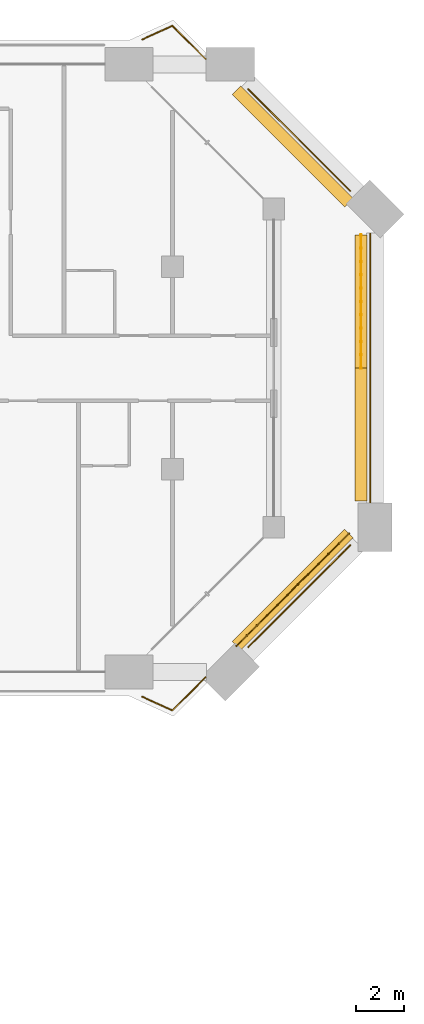
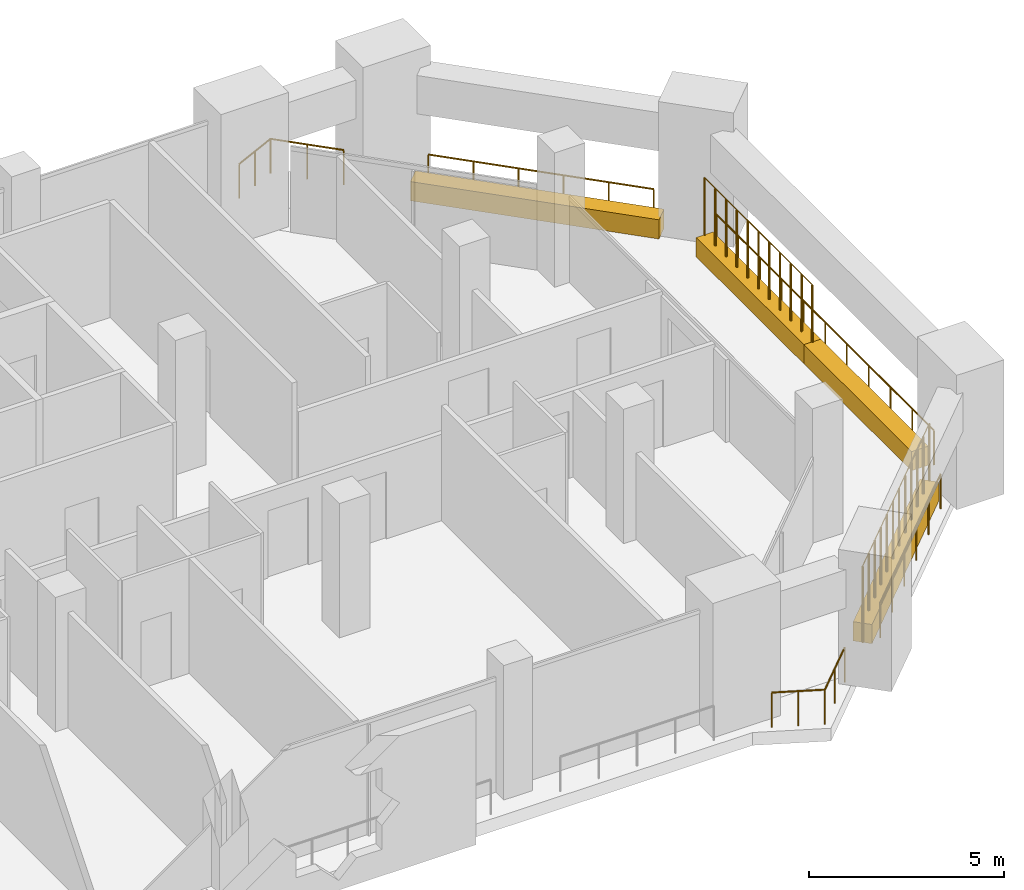
# One storey, part 21 of 21: 7 railings, 4 coverings.
"""IFC4 building model written with IfcOpenShell, lengths in metres."""

from ifc_helpers import new_model, si_unit, direction, frame, origin, origin_2d, place, context, subcontext, project, spatial, rectangle, circle, extrude, material, material_profile, profile_set, type_object, element, save


model = new_model("IFC4")

# Units and contexts
model_context = context("Model", 3, precision=1e-05, world=origin(), true_north=direction((0.0, 1.0)))
body_context = subcontext(model_context, "Body", "Model", "MODEL_VIEW")
ifc_project = project(units=[si_unit("LENGTHUNIT", "METRE"), si_unit("AREAUNIT", "SQUARE_METRE"), si_unit("VOLUMEUNIT", "CUBIC_METRE"), si_unit("PLANEANGLEUNIT", "RADIAN"), si_unit("MASSUNIT", "GRAM", prefix="KILO")], contexts=[model_context])

# Site, building, storey
site_placement = place(None, origin())
site = spatial("IfcSite", under=ifc_project, at=site_placement, CompositionType="ELEMENT")
building_placement = place(site_placement, origin())
building = spatial("IfcBuilding", under=site, at=building_placement, Name="Kawkab Arch Medical Tower", CompositionType="ELEMENT")
storey_placement = place(building_placement, frame((0.0, 0.0, 230.60009765625)))
storey = spatial("IfcBuildingStorey", under=building, at=storey_placement, Name="L53", CompositionType="ELEMENT", Elevation=230.60009765625)

# Railings
ifc_material_1 = material(Name="Bronze anodised aluminium guard", Category="aluminium")
railing_type_1 = type_object("IfcRailingType", Name="Loggia and terrace guard 1100", PredefinedType="GUARDRAIL", material=ifc_material_1)
railing_1_placement = place(storey_placement, frame((61.947021484375, -24.169921875, 0.0)))
element("IfcRailing", 1, at=railing_1_placement, inside=storey, type_object=railing_type_1, Name="Guard L53.TER-01.1.1", PredefinedType="GUARDRAIL", context=body_context, shape_type="SweptSolid", body=[
    extrude(circle(Radius=0.02392578125, at=origin_2d()), frame((0.0, 0.0, 1.076171875), z_axis=(0.707106781187, 0.707106781187, 0.0), x_axis=(-0.707106781187, 0.707106781187, 0.0)), (0.0, 0.0, 1.0), 5.97216796875),
    extrude(circle(Radius=0.02099609375, at=origin_2d()), origin(), (0.0, 0.0, 1.0), 1.052001953125),
    extrude(circle(Radius=0.02099609375, at=origin_2d()), frame((0.844482421875, 0.844482421875, 0.0)), (0.0, 0.0, 1.0), 1.052001953125),
    extrude(circle(Radius=0.02099609375, at=origin_2d()), frame((1.689208984375, 1.689208984375, 0.0)), (0.0, 0.0, 1.0), 1.052001953125),
    extrude(circle(Radius=0.02099609375, at=origin_2d()), frame((2.53369140625, 2.53369140625, 0.0)), (0.0, 0.0, 1.0), 1.052001953125),
    extrude(circle(Radius=0.02099609375, at=origin_2d()), frame((3.37841796875, 3.37841796875, 0.0)), (0.0, 0.0, 1.0), 1.052001953125),
    extrude(circle(Radius=0.02099609375, at=origin_2d()), frame((4.222900390625, 4.222900390625, 0.0)), (0.0, 0.0, 1.0), 1.052001953125),
])
railing_2_placement = place(storey_placement, frame((67.0, -18.169921875, 0.0)))
element("IfcRailing", 2, at=railing_2_placement, inside=storey, type_object=railing_type_1, Name="Guard L53.TER-01.1.2", PredefinedType="GUARDRAIL", context=body_context, shape_type="SweptSolid", body=[
    extrude(circle(Radius=0.02392578125, at=origin_2d()), frame((0.0, 0.0, 1.076171875), z_axis=(0.0, 1.0, 0.0), x_axis=(-1.0, 0.0, 0.0)), (0.0, 0.0, 1.0), 11.139892578125),
    extrude(circle(Radius=0.02099609375, at=origin_2d()), origin(), (0.0, 0.0, 1.0), 1.052001953125),
    extrude(circle(Radius=0.02099609375, at=origin_2d()), frame((0.0, 1.114013671875, 0.0)), (0.0, 0.0, 1.0), 1.052001953125),
    extrude(circle(Radius=0.02099609375, at=origin_2d()), frame((0.0, 2.22802734375, 0.0)), (0.0, 0.0, 1.0), 1.052001953125),
    extrude(circle(Radius=0.02099609375, at=origin_2d()), frame((0.0, 3.342041015625, 0.0)), (0.0, 0.0, 1.0), 1.052001953125),
    extrude(circle(Radius=0.02099609375, at=origin_2d()), frame((0.0, 4.4560546875, 0.0)), (0.0, 0.0, 1.0), 1.052001953125),
    extrude(circle(Radius=0.02099609375, at=origin_2d()), frame((0.0, 5.56982421875, 0.0)), (0.0, 0.0, 1.0), 1.052001953125),
    extrude(circle(Radius=0.02099609375, at=origin_2d()), frame((0.0, 6.683837890625, 0.0)), (0.0, 0.0, 1.0), 1.052001953125),
    extrude(circle(Radius=0.02099609375, at=origin_2d()), frame((0.0, 7.7978515625, 0.0)), (0.0, 0.0, 1.0), 1.052001953125),
    extrude(circle(Radius=0.02099609375, at=origin_2d()), frame((0.0, 8.911865234375, 0.0)), (0.0, 0.0, 1.0), 1.052001953125),
    extrude(circle(Radius=0.02099609375, at=origin_2d()), frame((0.0, 10.02587890625, 0.0)), (0.0, 0.0, 1.0), 1.052001953125),
    extrude(circle(Radius=0.02099609375, at=origin_2d()), frame((0.0, 11.139892578125, 0.0)), (0.0, 0.0, 1.0), 1.052001953125),
])
railing_3_placement = place(storey_placement, frame((66.169921875, -5.2529296875, 0.0)))
element("IfcRailing", 3, at=railing_3_placement, inside=storey, type_object=railing_type_1, Name="Guard L53.TER-01.1.3", PredefinedType="GUARDRAIL", context=body_context, shape_type="SweptSolid", body=[
    extrude(circle(Radius=0.02392578125, at=origin_2d()), frame((0.0, 0.0, 1.076171875), z_axis=(-0.707106781187, 0.707106781187, 0.0), x_axis=(-0.707106781187, -0.707106781187, 0.0)), (0.0, 0.0, 1.0), 5.97216796875),
    extrude(circle(Radius=0.02099609375, at=origin_2d()), origin(), (0.0, 0.0, 1.0), 1.052001953125),
    extrude(circle(Radius=0.02099609375, at=origin_2d()), frame((-0.844482421875, 0.844482421875, 0.0)), (0.0, 0.0, 1.0), 1.052001953125),
    extrude(circle(Radius=0.02099609375, at=origin_2d()), frame((-1.689208984375, 1.689208984375, 0.0)), (0.0, 0.0, 1.0), 1.052001953125),
    extrude(circle(Radius=0.02099609375, at=origin_2d()), frame((-2.53369140625, 2.53369140625, 0.0)), (0.0, 0.0, 1.0), 1.052001953125),
    extrude(circle(Radius=0.02099609375, at=origin_2d()), frame((-3.37841796875, 3.37841796875, 0.0)), (0.0, 0.0, 1.0), 1.052001953125),
    extrude(circle(Radius=0.02099609375, at=origin_2d()), frame((-4.222900390625, 4.222900390625, 0.0)), (0.0, 0.0, 1.0), 1.052001953125),
])
railing_4_placement = place(storey_placement, frame((60.169921875, -25.424072265625, 0.0)))
element("IfcRailing", 4, at=railing_4_placement, inside=storey, type_object=railing_type_1, Name="Guard L53.LOG-01.1.1", PredefinedType="GUARDRAIL", context=body_context, shape_type="SweptSolid", body=[
    extrude(circle(Radius=0.02392578125, at=origin_2d()), frame((0.0, 0.0, 1.076171875), z_axis=(-0.707357929016, -0.706855544123, 0.0), x_axis=(0.706855544123, -0.707357929016, 0.0)), (0.0, 0.0, 1.0), 1.94384765625),
    extrude(circle(Radius=0.02392578125, at=origin_2d()), frame((-1.375, -1.3740234375, 1.076171875), z_axis=(-0.909987760209, 0.4146351122, 0.0), x_axis=(-0.4146351122, -0.909987760209, 0.0)), (0.0, 0.0, 1.0), 1.3701171875),
    extrude(circle(Radius=0.02099609375, at=origin_2d()), origin(), (0.0, 0.0, 1.0), 1.052001953125),
    extrude(circle(Radius=0.02099609375, at=origin_2d()), frame((-0.6875, -0.68701171875, 0.0)), (0.0, 0.0, 1.0), 1.052001953125),
    extrude(circle(Radius=0.02099609375, at=origin_2d()), frame((-1.375, -1.3740234375, 0.0)), (0.0, 0.0, 1.0), 1.052001953125),
    extrude(circle(Radius=0.02099609375, at=origin_2d()), frame((-1.99853515625, -1.08984375, 0.0)), (0.0, 0.0, 1.0), 1.052001953125),
    extrude(circle(Radius=0.02099609375, at=origin_2d()), frame((-2.621826171875, -0.805908203125, 0.0)), (0.0, 0.0, 1.0), 1.052001953125),
])
railing_5_placement = place(storey_placement, frame((57.548095703125, 1.030029296875, 0.0)))
element("IfcRailing", 5, at=railing_5_placement, inside=storey, type_object=railing_type_1, Name="Guard L53.LOG-01.1.8", PredefinedType="GUARDRAIL", context=body_context, shape_type="SweptSolid", body=[
    extrude(circle(Radius=0.02392578125, at=origin_2d()), frame((0.0, 0.0, 1.076171875), z_axis=(0.910054984483, 0.414487545312, 0.0), x_axis=(-0.414487545312, 0.910054984483, 0.0)), (0.0, 0.0, 1.0), 1.3701171875),
    extrude(circle(Radius=0.02392578125, at=origin_2d()), frame((1.246826171875, 0.56787109375, 1.076171875), z_axis=(0.707420729895, -0.706792693026, 0.0), x_axis=(0.706792693026, 0.707420729895, 0.0)), (0.0, 0.0, 1.0), 1.943603515625),
    extrude(circle(Radius=0.02099609375, at=origin_2d()), origin(), (0.0, 0.0, 1.0), 1.052001953125),
    extrude(circle(Radius=0.02099609375, at=origin_2d()), frame((0.62353515625, 0.283935546875, 0.0)), (0.0, 0.0, 1.0), 1.052001953125),
    extrude(circle(Radius=0.02099609375, at=origin_2d()), frame((1.246826171875, 0.56787109375, 0.0)), (0.0, 0.0, 1.0), 1.052001953125),
    extrude(circle(Radius=0.02099609375, at=origin_2d()), frame((1.934326171875, -0.119140625, 0.0)), (0.0, 0.0, 1.0), 1.052001953125),
    extrude(circle(Radius=0.02099609375, at=origin_2d()), frame((2.621826171875, -0.805908203125, 0.0)), (0.0, 0.0, 1.0), 1.052001953125),
])

# Coverings
ifc_material_2 = material(Name="Planting soil in a precast trough", Category="concrete")
ifc_material_profile = material_profile(ifc_material_2, rectangle(XDim=0.5, YDim=0.60009765625, at=origin_2d()), Name="Trough 500x600")
ifc_profile_set = profile_set([ifc_material_profile], Name="Planting soil in a precast trough")
covering_type = type_object("IfcCoveringType", Name="Planter trough 500 x 600", PredefinedType="USERDEFINED", material=ifc_profile_set)
covering_1_placement = place(storey_placement, frame((61.4560546875, -24.1201171875, 0.2998046875), z_axis=(0.707328897326, 0.706884595254, 0.0), x_axis=(-0.706884595254, 0.707328897326, 0.0)))
element("IfcCovering", 6, at=covering_1_placement, inside=storey, type_object=covering_type, Name="Planter L53.TER-01-01.1", ObjectType="PLANTER", PredefinedType="USERDEFINED", context=body_context, shape_type="SweptSolid", body=[
    extrude(rectangle(XDim=0.5, YDim=0.60009765625, at=origin_2d()), origin(), (0.0, 0.0, 1.0), 6.593994140625),
])
covering_2_placement = place(storey_placement, frame((66.6201171875, -18.1201171875, 0.2998046875), z_axis=(0.0, 1.0, 0.0), x_axis=(-1.0, 0.0, 0.0)))
element("IfcCovering", 7, at=covering_2_placement, inside=storey, type_object=covering_type, Name="Planter L53.TER-01-01.2", ObjectType="PLANTER", PredefinedType="USERDEFINED", context=body_context, shape_type="SweptSolid", body=[
    extrude(rectangle(XDim=0.5, YDim=0.60009765625, at=origin_2d()), origin(), (0.0, 0.0, 1.0), 5.51806640625),
])
covering_3_placement = place(storey_placement, frame((66.6201171875, -12.60205078125, 0.2998046875), z_axis=(0.0, 1.0, 0.0), x_axis=(-1.0, 0.0, 0.0)))
element("IfcCovering", 8, at=covering_3_placement, inside=storey, type_object=covering_type, Name="Planter L53.TER-01-01.3", ObjectType="PLANTER", PredefinedType="USERDEFINED", context=body_context, shape_type="SweptSolid", body=[
    extrude(rectangle(XDim=0.5, YDim=0.60009765625, at=origin_2d()), origin(), (0.0, 0.0, 1.0), 5.52197265625),
])
covering_4_placement = place(storey_placement, frame((66.1201171875, -5.743896484375, 0.2998046875), z_axis=(-0.70690310808, 0.707310395645, 0.0), x_axis=(-0.707310395645, -0.70690310808, 0.0)))
element("IfcCovering", 9, at=covering_4_placement, inside=storey, type_object=covering_type, Name="Planter L53.TER-01-01.4", ObjectType="PLANTER", PredefinedType="USERDEFINED", context=body_context, shape_type="SweptSolid", body=[
    extrude(rectangle(XDim=0.5, YDim=0.60009765625, at=origin_2d()), origin(), (0.0, 0.0, 1.0), 6.59375),
])

# Railings
ifc_material_3 = material(Name="Bronze anodised aluminium trellis for climbing plants", Category="aluminium")
railing_type_2 = type_object("IfcRailingType", Name="Planting trellis 2400", PredefinedType="USERDEFINED", material=ifc_material_3)
railing_6_placement = place(storey_placement, frame((61.4560546875, -24.1201171875, 0.0)))
element("IfcRailing", 10, at=railing_6_placement, inside=storey, type_object=railing_type_2, Name="Planting trellis L53.TER-01-01.1", ObjectType="TRELLIS", PredefinedType="USERDEFINED", context=body_context, shape_type="SweptSolid", body=[
    extrude(circle(Radius=0.01513671875, at=origin_2d()), frame((0.0, 0.0, 2.384765625), z_axis=(0.707328897326, 0.706884595254, 0.0), x_axis=(-0.706884595254, 0.707328897326, 0.0)), (0.0, 0.0, 1.0), 6.593994140625),
    extrude(circle(Radius=0.030029296875, at=origin_2d()), origin(), (0.0, 0.0, 1.0), 2.369873046875),
    extrude(circle(Radius=0.030029296875, at=origin_2d()), frame((0.424072265625, 0.423828125, 0.0)), (0.0, 0.0, 1.0), 2.369873046875),
    extrude(circle(Radius=0.030029296875, at=origin_2d()), frame((0.847900390625, 0.847412109375, 0.0)), (0.0, 0.0, 1.0), 2.369873046875),
    extrude(circle(Radius=0.030029296875, at=origin_2d()), frame((1.27197265625, 1.271240234375, 0.0)), (0.0, 0.0, 1.0), 2.369873046875),
    extrude(circle(Radius=0.030029296875, at=origin_2d()), frame((1.696044921875, 1.695068359375, 0.0)), (0.0, 0.0, 1.0), 2.369873046875),
    extrude(circle(Radius=0.030029296875, at=origin_2d()), frame((2.1201171875, 2.11865234375, 0.0)), (0.0, 0.0, 1.0), 2.369873046875),
    extrude(circle(Radius=0.030029296875, at=origin_2d()), frame((2.5439453125, 2.54248046875, 0.0)), (0.0, 0.0, 1.0), 2.369873046875),
    extrude(circle(Radius=0.030029296875, at=origin_2d()), frame((2.968017578125, 2.966064453125, 0.0)), (0.0, 0.0, 1.0), 2.369873046875),
    extrude(circle(Radius=0.030029296875, at=origin_2d()), frame((3.39208984375, 3.389892578125, 0.0)), (0.0, 0.0, 1.0), 2.369873046875),
    extrude(circle(Radius=0.030029296875, at=origin_2d()), frame((3.816162109375, 3.813720703125, 0.0)), (0.0, 0.0, 1.0), 2.369873046875),
    extrude(circle(Radius=0.030029296875, at=origin_2d()), frame((4.239990234375, 4.2373046875, 0.0)), (0.0, 0.0, 1.0), 2.369873046875),
    extrude(circle(Radius=0.030029296875, at=origin_2d()), frame((4.6640625, 4.6611328125, 0.0)), (0.0, 0.0, 1.0), 2.369873046875),
])
railing_7_placement = place(storey_placement, frame((66.6201171875, -12.60205078125, 0.0)))
element("IfcRailing", 11, at=railing_7_placement, inside=storey, type_object=railing_type_2, Name="Planting trellis L53.TER-01-01.3", ObjectType="TRELLIS", PredefinedType="USERDEFINED", context=body_context, shape_type="SweptSolid", body=[
    extrude(circle(Radius=0.01513671875, at=origin_2d()), frame((0.0, 0.0, 2.384765625), z_axis=(0.0, 1.0, 0.0), x_axis=(-1.0, 0.0, 0.0)), (0.0, 0.0, 1.0), 5.52197265625),
    extrude(circle(Radius=0.030029296875, at=origin_2d()), origin(), (0.0, 0.0, 1.0), 2.369873046875),
    extrude(circle(Radius=0.030029296875, at=origin_2d()), frame((0.0, 0.55224609375, 0.0)), (0.0, 0.0, 1.0), 2.369873046875),
    extrude(circle(Radius=0.030029296875, at=origin_2d()), frame((0.0, 1.1044921875, 0.0)), (0.0, 0.0, 1.0), 2.369873046875),
    extrude(circle(Radius=0.030029296875, at=origin_2d()), frame((0.0, 1.656494140625, 0.0)), (0.0, 0.0, 1.0), 2.369873046875),
    extrude(circle(Radius=0.030029296875, at=origin_2d()), frame((0.0, 2.208740234375, 0.0)), (0.0, 0.0, 1.0), 2.369873046875),
    extrude(circle(Radius=0.030029296875, at=origin_2d()), frame((0.0, 2.760986328125, 0.0)), (0.0, 0.0, 1.0), 2.369873046875),
    extrude(circle(Radius=0.030029296875, at=origin_2d()), frame((0.0, 3.313232421875, 0.0)), (0.0, 0.0, 1.0), 2.369873046875),
    extrude(circle(Radius=0.030029296875, at=origin_2d()), frame((0.0, 3.865478515625, 0.0)), (0.0, 0.0, 1.0), 2.369873046875),
    extrude(circle(Radius=0.030029296875, at=origin_2d()), frame((0.0, 4.41748046875, 0.0)), (0.0, 0.0, 1.0), 2.369873046875),
    extrude(circle(Radius=0.030029296875, at=origin_2d()), frame((0.0, 4.9697265625, 0.0)), (0.0, 0.0, 1.0), 2.369873046875),
    extrude(circle(Radius=0.030029296875, at=origin_2d()), frame((0.0, 5.52197265625, 0.0)), (0.0, 0.0, 1.0), 2.369873046875),
])

save(model, "model.ifc")
